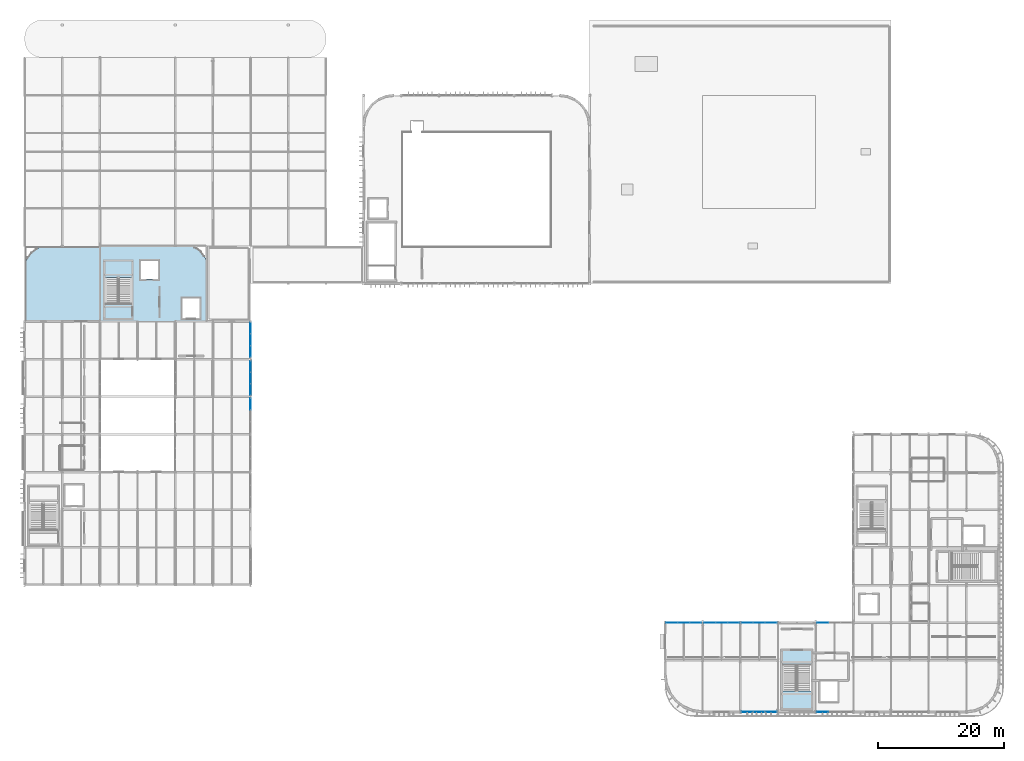
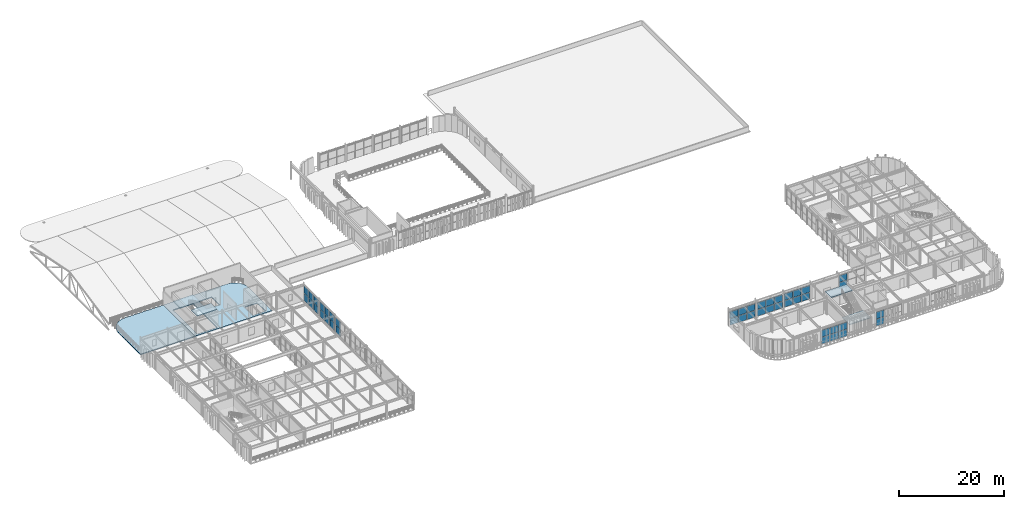
# One storey, part 48 of 83: 42 plates, 6 slabs, 11 elements without a shape of their own.
"""IFC4 building model written with IfcOpenShell, lengths in metres."""

import ifcopenshell
import ifcopenshell.guid

model = None  # the IFC model being written
_history = None  # IfcOwnerHistory: only IFC2X3 demands one
_inside = {}  # id of a spatial element -> (the spatial element, [elements in it])
_under = {}  # id of a project, library or spatial element -> (it, [spatial elements below it])
_declared = {}  # id of a project -> (the project, [libraries it declares])
_typed = {}  # id of a type object -> (the type object, [elements of that type])
_made_of = {}  # id of a material, layer set ... -> (it, [elements and type objects made of it])


def new_model(schema):
    """Start an empty IFC model of exactly this schema.

    Asked for "IFC4X3", IfcOpenShell would pick the latest addendum, in which some entities
    have other attributes; the version numbers below select the first issue.
    IFC2X3 requires an IfcOwnerHistory on every rooted entity: one is made here for all.
    """
    global model, _history
    if schema == "IFC4X3":
        model = ifcopenshell.file(schema_version=(4, 3, 0, 0))
    else:
        model = ifcopenshell.file(schema=schema)
    _inside.clear()
    _under.clear()
    _declared.clear()
    _typed.clear()
    _made_of.clear()
    _history = None
    if model.schema == "IFC2X3":
        org = make("IfcOrganization", Name="unknown")
        user = make(
            "IfcPersonAndOrganization",
            ThePerson=make("IfcPerson", FamilyName="unknown"),
            TheOrganization=org,
        )
        app = make(
            "IfcApplication",
            ApplicationDeveloper=org,
            Version="unknown",
            ApplicationFullName="unknown",
            ApplicationIdentifier="unknown",
        )
        _history = make(
            "IfcOwnerHistory",
            OwningUser=user,
            OwningApplication=app,
            ChangeAction="ADDED",
            CreationDate=0,
        )
    return model


def make(cls, **values):
    """One entity of the class cls with the attributes given. An attribute that is None is left unset."""
    return model.create_entity(
        cls, **{name: value for name, value in values.items() if value is not None}
    )


def rooted(cls, **values):
    """An entity with a GlobalId (a new one), such as an element, a storey or a relation."""
    return make(cls, GlobalId=ifcopenshell.guid.new(), OwnerHistory=_history, **values)


def si_unit(unit_type, name, prefix=None):
    """IfcSIUnit, for example si_unit("LENGTHUNIT", "METRE", prefix="MILLI")."""
    return make("IfcSIUnit", UnitType=unit_type, Prefix=prefix, Name=name)


def assignment(units):
    """IfcUnitAssignment: the units of a project."""
    return None if units is None else make("IfcUnitAssignment", Units=units)


def point(xyz):
    """IfcCartesianPoint."""
    return None if xyz is None else make("IfcCartesianPoint", Coordinates=xyz)


def direction(xyz):
    """IfcDirection."""
    return None if xyz is None else make("IfcDirection", DirectionRatios=xyz)


def frame(location, z_axis=None, x_axis=None):
    """IfcAxis2Placement3D, a coordinate frame: its origin and axes. An axis left out is left unset."""
    return make(
        "IfcAxis2Placement3D",
        Location=point(location),
        Axis=direction(z_axis),
        RefDirection=direction(x_axis),
    )


def frame_2d(location, x_axis=None):
    """IfcAxis2Placement2D, a coordinate frame in the plane: its origin and x axis."""
    return make(
        "IfcAxis2Placement2D", Location=point(location), RefDirection=direction(x_axis)
    )


def origin():
    """The frame at (0, 0, 0) with its axes left unset."""
    return frame((0.0, 0.0, 0.0))


def origin_2d():
    """The frame at (0, 0) in the plane with its x axis left unset."""
    return frame_2d((0.0, 0.0))


def place(relative_to, where):
    """IfcLocalPlacement: puts the frame where relative to a parent placement (None: the world)."""
    return make(
        "IfcLocalPlacement", PlacementRelTo=relative_to, RelativePlacement=where
    )


def context(
    kind, dimensions, precision=None, world=None, true_north=None, identifier=None
):
    """IfcGeometricRepresentationContext, for example the 3D "Model" context."""
    return make(
        "IfcGeometricRepresentationContext",
        ContextIdentifier=identifier,
        ContextType=kind,
        CoordinateSpaceDimension=dimensions,
        Precision=precision,
        WorldCoordinateSystem=world,
        TrueNorth=true_north,
    )


def subcontext(parent, identifier, kind, view, scale=None):
    """IfcGeometricRepresentationSubContext, for example "Body" below "Model"."""
    return make(
        "IfcGeometricRepresentationSubContext",
        ContextIdentifier=identifier,
        ContextType=kind,
        ParentContext=parent,
        TargetScale=scale,
        TargetView=view,
    )


def project(units=None, contexts=None):
    """IfcProject with its units and contexts."""
    return rooted(
        "IfcProject",
        Name="project",
        RepresentationContexts=contexts,
        UnitsInContext=assignment(units),
    )


def spatial(cls, under=None, at=None, **own):
    """A site, building, storey or space (cls), placed at a placement, below another one or the project."""
    s = rooted(cls, ObjectPlacement=at, **own)
    if under is not None:
        _under.setdefault(under.id(), (under, []))[1].append(s)
    return s


def polyline(points):
    """IfcPolyline through the points."""
    return make("IfcPolyline", Points=[point(p) for p in points])


def profile(cls, at=None, kind="AREA", **sizes):
    """A parametric profile (cls). Its sizes go by their IFC names, for example OverallWidth=200.0."""
    return make(cls, ProfileType=kind, Position=at, **sizes)


def rectangle(**sizes):
    """IfcRectangleProfileDef."""
    return profile("IfcRectangleProfileDef", **sizes)


def outline(outer, holes=None, kind="AREA"):
    """IfcArbitraryClosedProfileDef: a profile drawn as a closed curve; with holes, ...WithVoids."""
    if holes is None:
        return make("IfcArbitraryClosedProfileDef", ProfileType=kind, OuterCurve=outer)
    return make(
        "IfcArbitraryProfileDefWithVoids",
        ProfileType=kind,
        OuterCurve=outer,
        InnerCurves=holes,
    )


def extrude(swept, where, along, depth):
    """IfcExtrudedAreaSolid: the profile swept, set in the frame where, extruded along a direction by depth."""
    return make(
        "IfcExtrudedAreaSolid",
        SweptArea=swept,
        Position=where,
        ExtrudedDirection=direction(along),
        Depth=depth,
    )


def shape(context_of_items, identifier, shape_type, items):
    """IfcShapeRepresentation: the items that make up one representation, for example the "Body"."""
    return make(
        "IfcShapeRepresentation",
        ContextOfItems=context_of_items,
        RepresentationIdentifier=identifier,
        RepresentationType=shape_type,
        Items=items,
    )


def material(Name=None, Category=None):
    """IfcMaterial."""
    return make("IfcMaterial", Name=Name, Category=Category)


def layer(
    of_material, thickness, ventilated=None, Name=None, Category=None, Priority=None
):
    """IfcMaterialLayer: one layer of a wall or slab, of a material (None: an air gap)."""
    return make(
        "IfcMaterialLayer",
        Material=of_material,
        LayerThickness=thickness,
        IsVentilated=ventilated,
        Name=Name,
        Category=Category,
        Priority=Priority,
    )


def layer_set(layers, Name=None):
    """IfcMaterialLayerSet."""
    return make("IfcMaterialLayerSet", MaterialLayers=layers, LayerSetName=Name)


def made_of(thing, what):
    """Note that an element or type object is made of a material, layer set ...; save() writes the relation."""
    if what is not None:
        _made_of.setdefault(what.id(), (what, []))[1].append(thing)
    return thing


def type_object(cls, material=None, **own):
    """A type object (cls), such as IfcWallType, which elements share."""
    return made_of(rooted(cls, **own), material)


def element(
    cls,
    number,
    at=None,
    inside=None,
    cuts=None,
    type_object=None,
    material=None,
    context=None,
    identifier="Body",
    shape_type=None,
    held_by="IfcProductDefinitionShape",
    body=None,
    shapes=None,
    **own,
):
    """One element of the class cls, such as IfcWall. Its Tag is "e" and its number.

    at: its placement. inside: the storey or other place that contains it. cuts: it is an
    opening in that element (IfcRelVoidsElement). A single representation is given by context,
    identifier, shape_type and body (its items); several are given by shapes. held_by: the class
    of the entity that holds the representations. save() writes the other relations.
    """
    e = rooted(cls, Tag="e%d" % number, ObjectPlacement=at, **own)
    if body is not None:
        shapes = [shape(context, identifier, shape_type, body)]
    if shapes is not None:
        e.Representation = make(held_by, Representations=shapes)
    if inside is not None:
        _inside.setdefault(inside.id(), (inside, []))[1].append(e)
    if cuts is not None:
        rooted(
            "IfcRelVoidsElement", RelatingBuildingElement=cuts, RelatedOpeningElement=e
        )
    if type_object is not None:
        _typed.setdefault(type_object.id(), (type_object, []))[1].append(e)
    return made_of(e, material)


def aggregate(whole, parts):
    """IfcRelAggregates: a whole, such as a stair, and the parts it consists of."""
    return rooted("IfcRelAggregates", RelatingObject=whole, RelatedObjects=parts)


def save(model, path):
    """Write the relations noted so far, then the file.

    IfcRelAggregates (storeys below a building ...), IfcRelContainedInSpatialStructure (elements
    in a storey), IfcRelDefinesByType, IfcRelAssociatesMaterial and IfcRelDeclares: one each for
    every whole, place, type object, material and project.
    """
    for whole, parts in _under.values():
        aggregate(whole, parts)
    for where, things in _inside.values():
        rooted(
            "IfcRelContainedInSpatialStructure",
            RelatedElements=things,
            RelatingStructure=where,
        )
    for kind, things in _typed.values():
        rooted("IfcRelDefinesByType", RelatedObjects=things, RelatingType=kind)
    for what, things in _made_of.values():
        rooted("IfcRelAssociatesMaterial", RelatedObjects=things, RelatingMaterial=what)
    for by, libraries in _declared.values():
        rooted("IfcRelDeclares", RelatingContext=by, RelatedDefinitions=libraries)
    model.write(path)


model = new_model("IFC4")

# Units and contexts
model_context = context("Model", 3, precision=1e-05, world=origin(), true_north=direction((0.0, 1.0)))
body_context = subcontext(model_context, "Body", "Model", "MODEL_VIEW")
ifc_project = project(units=[si_unit("LENGTHUNIT", "METRE"), si_unit("AREAUNIT", "SQUARE_METRE"), si_unit("VOLUMEUNIT", "CUBIC_METRE"), si_unit("PLANEANGLEUNIT", "RADIAN"), si_unit("MASSUNIT", "GRAM", prefix="KILO")], contexts=[model_context])

# Site, building, storey
site_placement = place(None, origin())
site = spatial("IfcSite", under=ifc_project, at=site_placement, CompositionType="ELEMENT")
building_placement = place(site_placement, origin())
building = spatial("IfcBuilding", under=site, at=building_placement, Name="Varnakota Square Police Headquarters", CompositionType="ELEMENT")
storey_placement = place(building_placement, frame((0.0, 0.0, 18.0)))
storey = spatial("IfcBuildingStorey", under=building, at=storey_placement, Name="L04", CompositionType="ELEMENT", Elevation=18.0)

# Curtain wall, plates
ifc_material_1 = material(Name="Anodised Aluminium Framing", Category="aluminium")
curtain_wall_type_1 = type_object("IfcCurtainWallType", Name="CW-SYS-D", PredefinedType="NOTDEFINED", material=ifc_material_1)
curtain_wall_1_placement = place(storey_placement, origin())
curtain_wall_1 = element("IfcCurtainWall", 1, at=curtain_wall_1_placement, inside=storey, type_object=curtain_wall_type_1, Name="Unitised curtain wall CWG-L04-091", PredefinedType="NOTDEFINED")
ifc_material_2 = material(Name="Solar-Control Laminated Double Glazing", Category="glass")
ifc_layer_1 = layer(ifc_material_2, 0.028076171875, Name="Solar-Control Laminated Double Glazing")
ifc_layer_set_1 = layer_set([ifc_layer_1], Name="Solar-Control Laminated Double Glazing")
plate_type_1 = type_object("IfcPlateType", Name="CWP-GLZ-28", PredefinedType="CURTAIN_PANEL", material=ifc_layer_set_1)
plate_1_placement = place(storey_placement, frame((109.09716796875, 15.0, 0.06494140625), z_axis=(0.0, 0.0, 1.0), x_axis=(1.0, 0.0, 0.0)))
plate_1 = element("IfcPlate", 2, at=plate_1_placement, type_object=plate_type_1, Name="CWG-L04-091 panel 1.1", PredefinedType="CURTAIN_PANEL", context=body_context, shape_type="SweptSolid", body=[
    extrude(rectangle(XDim=1.80419921875, YDim=0.028076171875, at=origin_2d()), origin(), (0.0, 0.0, 1.0), 1.547607421875),
])
plate_2_placement = place(storey_placement, frame((110.982421875, 15.0, 0.06494140625), z_axis=(0.0, 0.0, 1.0), x_axis=(1.0, 0.0, 0.0)))
plate_2 = element("IfcPlate", 3, at=plate_2_placement, type_object=plate_type_1, Name="CWG-L04-091 panel 2.1", PredefinedType="CURTAIN_PANEL", context=body_context, shape_type="SweptSolid", body=[
    extrude(rectangle(XDim=1.836669921875, YDim=0.028076171875, at=origin_2d()), origin(), (0.0, 0.0, 1.0), 1.547607421875),
])
plate_3_placement = place(storey_placement, frame((112.867919921875, 15.0, 0.06494140625), z_axis=(0.0, 0.0, 1.0), x_axis=(1.0, 0.0, 0.0)))
plate_3 = element("IfcPlate", 4, at=plate_3_placement, type_object=plate_type_1, Name="CWG-L04-091 panel 3.1", PredefinedType="CURTAIN_PANEL", context=body_context, shape_type="SweptSolid", body=[
    extrude(rectangle(XDim=1.80419921875, YDim=0.028076171875, at=origin_2d()), origin(), (0.0, 0.0, 1.0), 1.547607421875),
])

# Curtain wall, plate
curtain_wall_2_placement = place(storey_placement, origin())
curtain_wall_2 = element("IfcCurtainWall", 5, at=curtain_wall_2_placement, inside=storey, type_object=curtain_wall_type_1, Name="Unitised curtain wall CWG-L04-183", PredefinedType="NOTDEFINED")
plate_4_placement = place(storey_placement, frame((42.0, 49.83447265625, 0.06494140625), z_axis=(0.0, 0.0, 1.0), x_axis=(0.0, 1.0, 0.0)))
plate_4 = element("IfcPlate", 6, at=plate_4_placement, type_object=plate_type_1, Name="CWG-L04-183 panel 3.1", PredefinedType="CURTAIN_PANEL", context=body_context, shape_type="SweptSolid", body=[
    extrude(rectangle(XDim=1.790771484375, YDim=0.028076171875, at=origin_2d()), origin(), (0.0, 0.0, 1.0), 1.62255859375),
])

# Curtain wall, plates
curtain_wall_type_2 = type_object("IfcCurtainWallType", Name="CW-SYS-C", PredefinedType="NOTDEFINED", material=ifc_material_1)
curtain_wall_3_placement = place(storey_placement, origin())
curtain_wall_3 = element("IfcCurtainWall", 7, at=curtain_wall_3_placement, inside=storey, type_object=curtain_wall_type_2, Name="Unitised curtain wall CWG-L04-088", PredefinedType="NOTDEFINED")
ifc_material_3 = material(Name="Acoustic Laminated Double Glazing", Category="glass")
ifc_layer_2 = layer(ifc_material_3, 0.031982421875, Name="Acoustic Laminated Double Glazing")
ifc_layer_set_2 = layer_set([ifc_layer_2], Name="Acoustic Laminated Double Glazing")
plate_type_2 = type_object("IfcPlateType", Name="CWP-GLZ-32", PredefinedType="CURTAIN_PANEL", material=ifc_layer_set_2)
plate_5_placement = place(storey_placement, frame((121.09716796875, 0.800048828125, 0.06494140625), z_axis=(0.0, 0.0, 1.0), x_axis=(1.0, 0.0, 0.0)))
plate_5 = element("IfcPlate", 8, at=plate_5_placement, type_object=plate_type_2, Name="CWG-L04-088 panel 1.1", PredefinedType="CURTAIN_PANEL", context=body_context, shape_type="SweptSolid", body=[
    extrude(rectangle(XDim=1.80419921875, YDim=0.031982421875, at=origin_2d()), origin(), (0.0, 0.0, 1.0), 1.597412109375),
])
plate_6_placement = place(storey_placement, frame((122.982421875, 0.800048828125, 0.06494140625), z_axis=(0.0, 0.0, 1.0), x_axis=(1.0, 0.0, 0.0)))
plate_6 = element("IfcPlate", 9, at=plate_6_placement, type_object=plate_type_2, Name="CWG-L04-088 panel 2.1", PredefinedType="CURTAIN_PANEL", context=body_context, shape_type="SweptSolid", body=[
    extrude(rectangle(XDim=1.836669921875, YDim=0.031982421875, at=origin_2d()), origin(), (0.0, 0.0, 1.0), 1.597412109375),
])
plate_7_placement = place(storey_placement, frame((124.867919921875, 0.800048828125, 0.06494140625), z_axis=(0.0, 0.0, 1.0), x_axis=(1.0, 0.0, 0.0)))
plate_7 = element("IfcPlate", 10, at=plate_7_placement, type_object=plate_type_2, Name="CWG-L04-088 panel 3.1", PredefinedType="CURTAIN_PANEL", context=body_context, shape_type="SweptSolid", body=[
    extrude(rectangle(XDim=1.80419921875, YDim=0.031982421875, at=origin_2d()), origin(), (0.0, 0.0, 1.0), 1.597412109375),
])

curtain_wall_4_placement = place(storey_placement, origin())
curtain_wall_4 = element("IfcCurtainWall", 11, at=curtain_wall_4_placement, inside=storey, type_object=curtain_wall_type_1, Name="Unitised curtain wall CWG-L04-092", PredefinedType="NOTDEFINED")
plate_8_placement = place(storey_placement, frame((115.132080078125, 15.0, 0.06494140625), z_axis=(0.0, 0.0, 1.0), x_axis=(1.0, 0.0, 0.0)))
plate_8 = element("IfcPlate", 12, at=plate_8_placement, type_object=plate_type_2, Name="CWG-L04-092 panel 1.1", PredefinedType="CURTAIN_PANEL", context=body_context, shape_type="SweptSolid", body=[
    extrude(rectangle(XDim=1.80419921875, YDim=0.031982421875, at=origin_2d()), origin(), (0.0, 0.0, 1.0), 1.547607421875),
])
plate_9_placement = place(storey_placement, frame((117.017578125, 15.0, 0.06494140625), z_axis=(0.0, 0.0, 1.0), x_axis=(1.0, 0.0, 0.0)))
plate_9 = element("IfcPlate", 13, at=plate_9_placement, type_object=plate_type_2, Name="CWG-L04-092 panel 2.1", PredefinedType="CURTAIN_PANEL", context=body_context, shape_type="SweptSolid", body=[
    extrude(rectangle(XDim=1.836669921875, YDim=0.031982421875, at=origin_2d()), origin(), (0.0, 0.0, 1.0), 1.547607421875),
])
plate_10_placement = place(storey_placement, frame((118.90283203125, 15.0, 0.06494140625), z_axis=(0.0, 0.0, 1.0), x_axis=(1.0, 0.0, 0.0)))
plate_10 = element("IfcPlate", 14, at=plate_10_placement, type_object=plate_type_2, Name="CWG-L04-092 panel 3.1", PredefinedType="CURTAIN_PANEL", context=body_context, shape_type="SweptSolid", body=[
    extrude(rectangle(XDim=1.80419921875, YDim=0.031982421875, at=origin_2d()), origin(), (0.0, 0.0, 1.0), 1.547607421875),
])

curtain_wall_5_placement = place(storey_placement, origin())
curtain_wall_5 = element("IfcCurtainWall", 15, at=curtain_wall_5_placement, inside=storey, type_object=curtain_wall_type_1, Name="Unitised curtain wall CWG-L04-184", PredefinedType="NOTDEFINED")
plate_11_placement = place(storey_placement, frame((42.0, 52.14453125, 0.06494140625), z_axis=(0.0, 0.0, 1.0), x_axis=(0.0, 1.0, 0.0)))
plate_11 = element("IfcPlate", 16, at=plate_11_placement, type_object=plate_type_2, Name="CWG-L04-184 panel 1.1", PredefinedType="CURTAIN_PANEL", context=body_context, shape_type="SweptSolid", body=[
    extrude(rectangle(XDim=1.749267578125, YDim=0.031982421875, at=origin_2d()), origin(), (0.0, 0.0, 1.0), 1.644287109375),
])
plate_12_placement = place(storey_placement, frame((42.0, 53.97509765625, 0.06494140625), z_axis=(0.0, 0.0, 1.0), x_axis=(0.0, 1.0, 0.0)))
plate_12 = element("IfcPlate", 17, at=plate_12_placement, type_object=plate_type_2, Name="CWG-L04-184 panel 2.1", PredefinedType="CURTAIN_PANEL", context=body_context, shape_type="SweptSolid", body=[
    extrude(rectangle(XDim=1.78173828125, YDim=0.031982421875, at=origin_2d()), origin(), (0.0, 0.0, 1.0), 1.644287109375),
])
plate_13_placement = place(storey_placement, frame((42.0, 55.805419921875, 0.06494140625), z_axis=(0.0, 0.0, 1.0), x_axis=(0.0, 1.0, 0.0)))
plate_13 = element("IfcPlate", 18, at=plate_13_placement, type_object=plate_type_2, Name="CWG-L04-184 panel 3.1", PredefinedType="CURTAIN_PANEL", context=body_context, shape_type="SweptSolid", body=[
    extrude(rectangle(XDim=1.749267578125, YDim=0.031982421875, at=origin_2d()), origin(), (0.0, 0.0, 1.0), 1.644287109375),
])

# Curtain wall, plate
curtain_wall_6_placement = place(storey_placement, origin())
curtain_wall_6 = element("IfcCurtainWall", 19, at=curtain_wall_6_placement, inside=storey, type_object=curtain_wall_type_2, Name="Unitised curtain wall CWG-L04-089", PredefinedType="NOTDEFINED")
ifc_material_4 = material(Name="Blast-Resistant Laminated Glazing", Category="glass")
ifc_layer_3 = layer(ifc_material_4, 0.035888671875, Name="Blast-Resistant Laminated Glazing")
ifc_layer_set_3 = layer_set([ifc_layer_3], Name="Blast-Resistant Laminated Glazing")
plate_type_3 = type_object("IfcPlateType", Name="CWP-GLZ-36", PredefinedType="CURTAIN_PANEL", material=ifc_layer_set_3)
plate_14_placement = place(storey_placement, frame((133.10302734375, 0.800048828125, 0.06494140625), z_axis=(0.0, 0.0, 1.0), x_axis=(1.0, 0.0, 0.0)))
plate_14 = element("IfcPlate", 20, at=plate_14_placement, type_object=plate_type_3, Name="CWG-L04-089 panel 1.1", PredefinedType="CURTAIN_PANEL", context=body_context, shape_type="SweptSolid", body=[
    extrude(rectangle(XDim=1.81591796875, YDim=0.035888671875, at=origin_2d()), origin(), (0.0, 0.0, 1.0), 1.597412109375),
])

# Curtain wall, plates
curtain_wall_7_placement = place(storey_placement, origin())
curtain_wall_7 = element("IfcCurtainWall", 21, at=curtain_wall_7_placement, inside=storey, type_object=curtain_wall_type_1, Name="Unitised curtain wall CWG-L04-093", PredefinedType="NOTDEFINED")
plate_15_placement = place(storey_placement, frame((121.10302734375, 15.0, 0.06494140625), z_axis=(0.0, 0.0, 1.0), x_axis=(1.0, 0.0, 0.0)))
plate_15 = element("IfcPlate", 22, at=plate_15_placement, type_object=plate_type_3, Name="CWG-L04-093 panel 1.1", PredefinedType="CURTAIN_PANEL", context=body_context, shape_type="SweptSolid", body=[
    extrude(rectangle(XDim=1.81591796875, YDim=0.035888671875, at=origin_2d()), origin(), (0.0, 0.0, 1.0), 1.547607421875),
])
plate_16_placement = place(storey_placement, frame((123.0, 15.0, 0.06494140625), z_axis=(0.0, 0.0, 1.0), x_axis=(1.0, 0.0, 0.0)))
plate_16 = element("IfcPlate", 23, at=plate_16_placement, type_object=plate_type_3, Name="CWG-L04-093 panel 2.1", PredefinedType="CURTAIN_PANEL", context=body_context, shape_type="SweptSolid", body=[
    extrude(rectangle(XDim=1.848388671875, YDim=0.035888671875, at=origin_2d()), origin(), (0.0, 0.0, 1.0), 1.547607421875),
])
plate_17_placement = place(storey_placement, frame((124.89697265625, 15.0, 0.06494140625), z_axis=(0.0, 0.0, 1.0), x_axis=(1.0, 0.0, 0.0)))
plate_17 = element("IfcPlate", 24, at=plate_17_placement, type_object=plate_type_3, Name="CWG-L04-093 panel 3.1", PredefinedType="CURTAIN_PANEL", context=body_context, shape_type="SweptSolid", body=[
    extrude(rectangle(XDim=1.81591796875, YDim=0.035888671875, at=origin_2d()), origin(), (0.0, 0.0, 1.0), 1.547607421875),
])

curtain_wall_8_placement = place(storey_placement, origin())
curtain_wall_8 = element("IfcCurtainWall", 25, at=curtain_wall_8_placement, inside=storey, type_object=curtain_wall_type_1, Name="Unitised curtain wall CWG-L04-185", PredefinedType="NOTDEFINED")
plate_18_placement = place(storey_placement, frame((42.0, 58.20703125, 0.06494140625), z_axis=(0.0, 0.0, 1.0), x_axis=(0.0, 1.0, 0.0)))
plate_18 = element("IfcPlate", 26, at=plate_18_placement, type_object=plate_type_3, Name="CWG-L04-185 panel 1.1", PredefinedType="CURTAIN_PANEL", context=body_context, shape_type="SweptSolid", body=[
    extrude(rectangle(XDim=1.774169921875, YDim=0.035888671875, at=origin_2d()), origin(), (0.0, 0.0, 1.0), 1.644287109375),
])
plate_19_placement = place(storey_placement, frame((42.0, 60.0625, 0.06494140625), z_axis=(0.0, 0.0, 1.0), x_axis=(0.0, 1.0, 0.0)))
plate_19 = element("IfcPlate", 27, at=plate_19_placement, type_object=plate_type_3, Name="CWG-L04-185 panel 2.1", PredefinedType="CURTAIN_PANEL", context=body_context, shape_type="SweptSolid", body=[
    extrude(rectangle(XDim=1.806640625, YDim=0.035888671875, at=origin_2d()), origin(), (0.0, 0.0, 1.0), 1.644287109375),
])
plate_20_placement = place(storey_placement, frame((42.0, 61.91796875, 0.06494140625), z_axis=(0.0, 0.0, 1.0), x_axis=(0.0, 1.0, 0.0)))
plate_20 = element("IfcPlate", 28, at=plate_20_placement, type_object=plate_type_3, Name="CWG-L04-185 panel 3.1", PredefinedType="CURTAIN_PANEL", context=body_context, shape_type="SweptSolid", body=[
    extrude(rectangle(XDim=1.774169921875, YDim=0.035888671875, at=origin_2d()), origin(), (0.0, 0.0, 1.0), 1.644287109375),
])

# Curtain wall, plate
curtain_wall_9_placement = place(storey_placement, origin())
curtain_wall_9 = element("IfcCurtainWall", 29, at=curtain_wall_9_placement, inside=storey, type_object=curtain_wall_type_1, Name="Unitised curtain wall CWG-L04-094", PredefinedType="NOTDEFINED")
ifc_material_5 = material(Name="Triple-Glazed Clean-Lab Vision Unit", Category="aluminium")
ifc_layer_4 = layer(ifc_material_5, 0.0419921875, Name="Triple-Glazed Clean-Lab Vision Unit")
ifc_layer_set_4 = layer_set([ifc_layer_4], Name="Triple-Glazed Clean-Lab Vision Unit")
plate_type_4 = type_object("IfcPlateType", Name="CWP-GLZ-42", PredefinedType="CURTAIN_PANEL", material=ifc_layer_set_4)
plate_21_placement = place(storey_placement, frame((133.132080078125, 15.0, 0.06494140625), z_axis=(0.0, 0.0, 1.0), x_axis=(1.0, 0.0, 0.0)))
plate_21 = element("IfcPlate", 30, at=plate_21_placement, type_object=plate_type_4, Name="CWG-L04-094 panel 1.1", PredefinedType="CURTAIN_PANEL", context=body_context, shape_type="SweptSolid", body=[
    extrude(rectangle(XDim=1.80419921875, YDim=0.0419921875, at=origin_2d()), origin(), (0.0, 0.0, 1.0), 1.547607421875),
])

# Plate
ifc_material_6 = material(Name="Insulated Anodised Aluminium Spandrel Panel", Category="aluminium")
ifc_layer_5 = layer(ifc_material_6, 0.050048828125, Name="Insulated Anodised Aluminium Spandrel Panel")
ifc_layer_set_5 = layer_set([ifc_layer_5], Name="Insulated Anodised Aluminium Spandrel Panel")
plate_type_5 = type_object("IfcPlateType", Name="CWP-SPN-50", PredefinedType="CURTAIN_PANEL", material=ifc_layer_set_5)
plate_22_placement = place(storey_placement, frame((133.10302734375, 0.800048828125, 1.7275390625), z_axis=(0.0, 0.0, 1.0), x_axis=(1.0, 0.0, 0.0)))
plate_22 = element("IfcPlate", 31, at=plate_22_placement, type_object=plate_type_5, Name="CWG-L04-089 panel 1.2", PredefinedType="CURTAIN_PANEL", context=body_context, shape_type="SweptSolid", body=[
    extrude(rectangle(XDim=1.81591796875, YDim=0.050048828125, at=origin_2d()), origin(), (0.0, 0.0, 1.0), 1.597412109375),
])

aggregate(curtain_wall_6, [plate_14, plate_22])

plate_23_placement = place(storey_placement, frame((109.09716796875, 15.0, 1.67724609375), z_axis=(0.0, 0.0, 1.0), x_axis=(1.0, 0.0, 0.0)))
plate_23 = element("IfcPlate", 32, at=plate_23_placement, type_object=plate_type_5, Name="CWG-L04-091 panel 1.2", PredefinedType="CURTAIN_PANEL", context=body_context, shape_type="SweptSolid", body=[
    extrude(rectangle(XDim=1.80419921875, YDim=0.050048828125, at=origin_2d()), origin(), (0.0, 0.0, 1.0), 1.547607421875),
])

plate_24_placement = place(storey_placement, frame((110.982421875, 15.0, 1.67724609375), z_axis=(0.0, 0.0, 1.0), x_axis=(1.0, 0.0, 0.0)))
plate_24 = element("IfcPlate", 33, at=plate_24_placement, type_object=plate_type_5, Name="CWG-L04-091 panel 2.2", PredefinedType="CURTAIN_PANEL", context=body_context, shape_type="SweptSolid", body=[
    extrude(rectangle(XDim=1.836669921875, YDim=0.050048828125, at=origin_2d()), origin(), (0.0, 0.0, 1.0), 1.547607421875),
])

plate_25_placement = place(storey_placement, frame((112.867919921875, 15.0, 1.67724609375), z_axis=(0.0, 0.0, 1.0), x_axis=(1.0, 0.0, 0.0)))
plate_25 = element("IfcPlate", 34, at=plate_25_placement, type_object=plate_type_5, Name="CWG-L04-091 panel 3.2", PredefinedType="CURTAIN_PANEL", context=body_context, shape_type="SweptSolid", body=[
    extrude(rectangle(XDim=1.80419921875, YDim=0.050048828125, at=origin_2d()), origin(), (0.0, 0.0, 1.0), 1.547607421875),
])

aggregate(curtain_wall_1, [plate_1, plate_23, plate_2, plate_24, plate_3, plate_25])

plate_26_placement = place(storey_placement, frame((121.10302734375, 15.0, 1.67724609375), z_axis=(0.0, 0.0, 1.0), x_axis=(1.0, 0.0, 0.0)))
plate_26 = element("IfcPlate", 35, at=plate_26_placement, type_object=plate_type_5, Name="CWG-L04-093 panel 1.2", PredefinedType="CURTAIN_PANEL", context=body_context, shape_type="SweptSolid", body=[
    extrude(rectangle(XDim=1.81591796875, YDim=0.050048828125, at=origin_2d()), origin(), (0.0, 0.0, 1.0), 1.547607421875),
])

plate_27_placement = place(storey_placement, frame((123.0, 15.0, 1.67724609375), z_axis=(0.0, 0.0, 1.0), x_axis=(1.0, 0.0, 0.0)))
plate_27 = element("IfcPlate", 36, at=plate_27_placement, type_object=plate_type_5, Name="CWG-L04-093 panel 2.2", PredefinedType="CURTAIN_PANEL", context=body_context, shape_type="SweptSolid", body=[
    extrude(rectangle(XDim=1.848388671875, YDim=0.050048828125, at=origin_2d()), origin(), (0.0, 0.0, 1.0), 1.547607421875),
])

plate_28_placement = place(storey_placement, frame((124.89697265625, 15.0, 1.67724609375), z_axis=(0.0, 0.0, 1.0), x_axis=(1.0, 0.0, 0.0)))
plate_28 = element("IfcPlate", 37, at=plate_28_placement, type_object=plate_type_5, Name="CWG-L04-093 panel 3.2", PredefinedType="CURTAIN_PANEL", context=body_context, shape_type="SweptSolid", body=[
    extrude(rectangle(XDim=1.81591796875, YDim=0.050048828125, at=origin_2d()), origin(), (0.0, 0.0, 1.0), 1.547607421875),
])

aggregate(curtain_wall_7, [plate_15, plate_26, plate_16, plate_27, plate_17, plate_28])

plate_29_placement = place(storey_placement, frame((42.0, 49.83447265625, 1.75244140625), z_axis=(0.0, 0.0, 1.0), x_axis=(0.0, 1.0, 0.0)))
plate_29 = element("IfcPlate", 38, at=plate_29_placement, type_object=plate_type_5, Name="CWG-L04-183 panel 3.2", PredefinedType="CURTAIN_PANEL", context=body_context, shape_type="SweptSolid", body=[
    extrude(rectangle(XDim=1.790771484375, YDim=0.050048828125, at=origin_2d()), origin(), (0.0, 0.0, 1.0), 1.62255859375),
])

aggregate(curtain_wall_2, [plate_4, plate_29])

plate_30_placement = place(storey_placement, frame((42.0, 58.20703125, 1.7744140625), z_axis=(0.0, 0.0, 1.0), x_axis=(0.0, 1.0, 0.0)))
plate_30 = element("IfcPlate", 39, at=plate_30_placement, type_object=plate_type_5, Name="CWG-L04-185 panel 1.2", PredefinedType="CURTAIN_PANEL", context=body_context, shape_type="SweptSolid", body=[
    extrude(rectangle(XDim=1.774169921875, YDim=0.050048828125, at=origin_2d()), origin(), (0.0, 0.0, 1.0), 1.644287109375),
])

plate_31_placement = place(storey_placement, frame((42.0, 60.0625, 1.7744140625), z_axis=(0.0, 0.0, 1.0), x_axis=(0.0, 1.0, 0.0)))
plate_31 = element("IfcPlate", 40, at=plate_31_placement, type_object=plate_type_5, Name="CWG-L04-185 panel 2.2", PredefinedType="CURTAIN_PANEL", context=body_context, shape_type="SweptSolid", body=[
    extrude(rectangle(XDim=1.806640625, YDim=0.050048828125, at=origin_2d()), origin(), (0.0, 0.0, 1.0), 1.644287109375),
])

plate_32_placement = place(storey_placement, frame((42.0, 61.91796875, 1.7744140625), z_axis=(0.0, 0.0, 1.0), x_axis=(0.0, 1.0, 0.0)))
plate_32 = element("IfcPlate", 41, at=plate_32_placement, type_object=plate_type_5, Name="CWG-L04-185 panel 3.2", PredefinedType="CURTAIN_PANEL", context=body_context, shape_type="SweptSolid", body=[
    extrude(rectangle(XDim=1.774169921875, YDim=0.050048828125, at=origin_2d()), origin(), (0.0, 0.0, 1.0), 1.644287109375),
])

aggregate(curtain_wall_8, [plate_18, plate_30, plate_19, plate_31, plate_20, plate_32])

ifc_material_7 = material(Name="Fire-Stopped Mineral-Wool Spandrel Panel", Category="aluminium")
ifc_layer_6 = layer(ifc_material_7, 0.06005859375, Name="Fire-Stopped Mineral-Wool Spandrel Panel")
ifc_layer_set_6 = layer_set([ifc_layer_6], Name="Fire-Stopped Mineral-Wool Spandrel Panel")
plate_type_6 = type_object("IfcPlateType", Name="CWP-SPN-60", PredefinedType="CURTAIN_PANEL", material=ifc_layer_set_6)
plate_33_placement = place(storey_placement, frame((121.09716796875, 0.800048828125, 1.7275390625), z_axis=(0.0, 0.0, 1.0), x_axis=(1.0, 0.0, 0.0)))
plate_33 = element("IfcPlate", 42, at=plate_33_placement, type_object=plate_type_6, Name="CWG-L04-088 panel 1.2", PredefinedType="CURTAIN_PANEL", context=body_context, shape_type="SweptSolid", body=[
    extrude(rectangle(XDim=1.80419921875, YDim=0.06005859375, at=origin_2d()), origin(), (0.0, 0.0, 1.0), 1.597412109375),
])

plate_34_placement = place(storey_placement, frame((122.982421875, 0.800048828125, 1.7275390625), z_axis=(0.0, 0.0, 1.0), x_axis=(1.0, 0.0, 0.0)))
plate_34 = element("IfcPlate", 43, at=plate_34_placement, type_object=plate_type_6, Name="CWG-L04-088 panel 2.2", PredefinedType="CURTAIN_PANEL", context=body_context, shape_type="SweptSolid", body=[
    extrude(rectangle(XDim=1.836669921875, YDim=0.06005859375, at=origin_2d()), origin(), (0.0, 0.0, 1.0), 1.597412109375),
])

plate_35_placement = place(storey_placement, frame((124.867919921875, 0.800048828125, 1.7275390625), z_axis=(0.0, 0.0, 1.0), x_axis=(1.0, 0.0, 0.0)))
plate_35 = element("IfcPlate", 44, at=plate_35_placement, type_object=plate_type_6, Name="CWG-L04-088 panel 3.2", PredefinedType="CURTAIN_PANEL", context=body_context, shape_type="SweptSolid", body=[
    extrude(rectangle(XDim=1.80419921875, YDim=0.06005859375, at=origin_2d()), origin(), (0.0, 0.0, 1.0), 1.597412109375),
])

aggregate(curtain_wall_3, [plate_5, plate_33, plate_6, plate_34, plate_7, plate_35])

plate_36_placement = place(storey_placement, frame((115.132080078125, 15.0, 1.67724609375), z_axis=(0.0, 0.0, 1.0), x_axis=(1.0, 0.0, 0.0)))
plate_36 = element("IfcPlate", 45, at=plate_36_placement, type_object=plate_type_6, Name="CWG-L04-092 panel 1.2", PredefinedType="CURTAIN_PANEL", context=body_context, shape_type="SweptSolid", body=[
    extrude(rectangle(XDim=1.80419921875, YDim=0.06005859375, at=origin_2d()), origin(), (0.0, 0.0, 1.0), 1.547607421875),
])

plate_37_placement = place(storey_placement, frame((117.017578125, 15.0, 1.67724609375), z_axis=(0.0, 0.0, 1.0), x_axis=(1.0, 0.0, 0.0)))
plate_37 = element("IfcPlate", 46, at=plate_37_placement, type_object=plate_type_6, Name="CWG-L04-092 panel 2.2", PredefinedType="CURTAIN_PANEL", context=body_context, shape_type="SweptSolid", body=[
    extrude(rectangle(XDim=1.836669921875, YDim=0.06005859375, at=origin_2d()), origin(), (0.0, 0.0, 1.0), 1.547607421875),
])

plate_38_placement = place(storey_placement, frame((118.90283203125, 15.0, 1.67724609375), z_axis=(0.0, 0.0, 1.0), x_axis=(1.0, 0.0, 0.0)))
plate_38 = element("IfcPlate", 47, at=plate_38_placement, type_object=plate_type_6, Name="CWG-L04-092 panel 3.2", PredefinedType="CURTAIN_PANEL", context=body_context, shape_type="SweptSolid", body=[
    extrude(rectangle(XDim=1.80419921875, YDim=0.06005859375, at=origin_2d()), origin(), (0.0, 0.0, 1.0), 1.547607421875),
])

aggregate(curtain_wall_4, [plate_8, plate_36, plate_9, plate_37, plate_10, plate_38])

plate_39_placement = place(storey_placement, frame((133.132080078125, 15.0, 1.67724609375), z_axis=(0.0, 0.0, 1.0), x_axis=(1.0, 0.0, 0.0)))
plate_39 = element("IfcPlate", 48, at=plate_39_placement, type_object=plate_type_6, Name="CWG-L04-094 panel 1.2", PredefinedType="CURTAIN_PANEL", context=body_context, shape_type="SweptSolid", body=[
    extrude(rectangle(XDim=1.80419921875, YDim=0.06005859375, at=origin_2d()), origin(), (0.0, 0.0, 1.0), 1.547607421875),
])

aggregate(curtain_wall_9, [plate_21, plate_39])

plate_40_placement = place(storey_placement, frame((42.0, 52.14453125, 1.7744140625), z_axis=(0.0, 0.0, 1.0), x_axis=(0.0, 1.0, 0.0)))
plate_40 = element("IfcPlate", 49, at=plate_40_placement, type_object=plate_type_6, Name="CWG-L04-184 panel 1.2", PredefinedType="CURTAIN_PANEL", context=body_context, shape_type="SweptSolid", body=[
    extrude(rectangle(XDim=1.749267578125, YDim=0.06005859375, at=origin_2d()), origin(), (0.0, 0.0, 1.0), 1.644287109375),
])

plate_41_placement = place(storey_placement, frame((42.0, 53.97509765625, 1.7744140625), z_axis=(0.0, 0.0, 1.0), x_axis=(0.0, 1.0, 0.0)))
plate_41 = element("IfcPlate", 50, at=plate_41_placement, type_object=plate_type_6, Name="CWG-L04-184 panel 2.2", PredefinedType="CURTAIN_PANEL", context=body_context, shape_type="SweptSolid", body=[
    extrude(rectangle(XDim=1.78173828125, YDim=0.06005859375, at=origin_2d()), origin(), (0.0, 0.0, 1.0), 1.644287109375),
])

plate_42_placement = place(storey_placement, frame((42.0, 55.805419921875, 1.7744140625), z_axis=(0.0, 0.0, 1.0), x_axis=(0.0, 1.0, 0.0)))
plate_42 = element("IfcPlate", 51, at=plate_42_placement, type_object=plate_type_6, Name="CWG-L04-184 panel 3.2", PredefinedType="CURTAIN_PANEL", context=body_context, shape_type="SweptSolid", body=[
    extrude(rectangle(XDim=1.749267578125, YDim=0.06005859375, at=origin_2d()), origin(), (0.0, 0.0, 1.0), 1.644287109375),
])

aggregate(curtain_wall_5, [plate_11, plate_40, plate_12, plate_41, plate_13, plate_42])

# Slabs
ifc_material_8 = material(Name="Concrete M40", Category="concrete")
ifc_layer_7 = layer(ifc_material_8, 0.199951171875, Name="Concrete M40")
ifc_layer_set_7 = layer_set([ifc_layer_7], Name="Concrete M40")
slab_type_1 = type_object("IfcSlabType", Name="SL-COMP-200", PredefinedType="FLOOR", material=ifc_layer_set_7)
slab_1_placement = place(storey_placement, frame((0.0, 0.0, -0.199951171875)))
element("IfcSlab", 52, at=slab_1_placement, inside=storey, type_object=slab_type_1, Name="L04 Core C5 and Goods Lift Lobby Slab", PredefinedType="FLOOR", context=body_context, shape_type="SweptSolid", body=[
    extrude(outline(polyline([(18.0, 63.0), (35.0, 63.0), (35.0, 72.0), (34.897705078125, 72.776611328125), (34.59814453125, 73.5), (34.121337890625, 74.121337890625), (33.5, 74.59814453125), (32.776611328125, 74.897705078125), (32.0, 75.0), (18.0, 75.0), (18.0, 63.0)]), holes=[polyline([(18.7548828125, 63.455078125), (23.14501953125, 63.455078125), (23.14501953125, 72.64501953125), (18.7548828125, 72.64501953125), (18.7548828125, 63.455078125)]), polyline([(24.514892578125, 69.715087890625), (27.284912109375, 69.715087890625), (27.284912109375, 72.68505859375), (24.514892578125, 72.68505859375), (24.514892578125, 69.715087890625)]), polyline([(31.114990234375, 63.514892578125), (33.885009765625, 63.514892578125), (33.885009765625, 66.68505859375), (31.114990234375, 66.68505859375), (31.114990234375, 63.514892578125)])]), origin(), (0.0, 0.0, 1.0), 0.199951171875),
])
ifc_layer_8 = layer(ifc_material_8, 0.2099609375, Name="Concrete M40")
ifc_layer_set_8 = layer_set([ifc_layer_8], Name="Concrete M40")
slab_type_2 = type_object("IfcSlabType", Name="SL-TERR-210", PredefinedType="FLOOR", material=ifc_layer_set_8)
slab_2_placement = place(storey_placement, frame((0.0, 0.0, -0.2099609375)))
element("IfcSlab", 53, at=slab_2_placement, inside=storey, type_object=slab_type_2, Name="L04 Forensic North Terrace Slab", PredefinedType="FLOOR", context=body_context, shape_type="SweptSolid", body=[
    extrude(outline(polyline([(6.0, 63.0), (18.0, 63.0), (18.0, 75.0), (9.60009765625, 75.0), (8.668212890625, 74.877197265625), (7.800048828125, 74.517578125), (7.054443359375, 73.945556640625), (6.482421875, 73.199951171875), (6.122802734375, 72.331787109375), (6.0, 71.39990234375), (6.0, 63.0)])), origin(), (0.0, 0.0, 1.0), 0.2099609375),
])

# Stair, slabs
stair_type_1 = type_object("IfcStairType", Name="STR-DOG-1850", PredefinedType="USERDEFINED", material=ifc_material_8)
stair_1_placement = place(storey_placement, origin())
stair_1 = element("IfcStair", 54, at=stair_1_placement, inside=storey, type_object=stair_type_1, Name="Protected exit stair ST5 (L04)", ObjectType="TWO_RETURN_STAIR", PredefinedType="USERDEFINED")
ifc_layer_9 = layer(ifc_material_8, 0.157958984375, Name="Concrete M40")
ifc_layer_set_9 = layer_set([ifc_layer_9], Name="Concrete M40")
slab_type_3 = type_object("IfcSlabType", Name="SLB-LND-1850", PredefinedType="LANDING", material=ifc_layer_set_9)
slab_3_placement = place(storey_placement, frame((0.0, 0.0, 1.94189453125)))
slab_3 = element("IfcSlab", 55, at=slab_3_placement, type_object=slab_type_3, Name="ST5-L04 landing 1", PredefinedType="LANDING", context=body_context, shape_type="SweptSolid", body=[
    extrude(outline(polyline([(18.760009765625, 69.95068359375), (23.139892578125, 69.95068359375), (23.139892578125, 72.639892578125), (18.760009765625, 72.639892578125), (18.760009765625, 69.95068359375)])), origin(), (0.0, 0.0, 1.0), 0.158203125),
])
slab_4_placement = place(storey_placement, frame((0.0, 0.0, 4.0419921875)))
slab_4 = element("IfcSlab", 56, at=slab_4_placement, type_object=slab_type_3, Name="ST5-L04 landing 2", PredefinedType="LANDING", context=body_context, shape_type="SweptSolid", body=[
    extrude(outline(polyline([(18.760009765625, 63.4599609375), (23.139892578125, 63.4599609375), (23.139892578125, 65.75), (18.760009765625, 65.75), (18.760009765625, 63.4599609375)])), origin(), (0.0, 0.0, 1.0), 0.157958984375),
])
aggregate(stair_1, [slab_3, slab_4])

stair_type_2 = type_object("IfcStairType", Name="STR-DOG-2000", PredefinedType="USERDEFINED", material=ifc_material_8)
stair_2_placement = place(storey_placement, origin())
stair_2 = element("IfcStair", 57, at=stair_2_placement, inside=storey, type_object=stair_type_2, Name="Protected exit stair ST1 (L04)", ObjectType="TWO_RETURN_STAIR", PredefinedType="USERDEFINED")
ifc_layer_10 = layer(ifc_material_8, 0.166015625, Name="Concrete M40")
ifc_layer_set_10 = layer_set([ifc_layer_10], Name="Concrete M40")
slab_type_4 = type_object("IfcSlabType", Name="SLB-LND-2000", PredefinedType="LANDING", material=ifc_layer_set_10)
slab_5_placement = place(storey_placement, frame((0.0, 0.0, 1.93408203125)))
slab_5 = element("IfcSlab", 58, at=slab_5_placement, type_object=slab_type_4, Name="ST1-L04 landing 1", PredefinedType="LANDING", context=body_context, shape_type="SweptSolid", body=[
    extrude(outline(polyline([(126.659912109375, 1.31005859375), (131.340087890625, 1.31005859375), (131.340087890625, 4.099365234375), (126.659912109375, 4.099365234375), (126.659912109375, 1.31005859375)])), origin(), (0.0, 0.0, 1.0), 0.166015625),
])
slab_6_placement = place(storey_placement, frame((0.0, 0.0, 4.033935546875)))
slab_6 = element("IfcSlab", 59, at=slab_6_placement, type_object=slab_type_4, Name="ST1-L04 landing 2", PredefinedType="LANDING", context=body_context, shape_type="SweptSolid", body=[
    extrude(outline(polyline([(126.659912109375, 8.300048828125), (131.340087890625, 8.300048828125), (131.340087890625, 10.590087890625), (126.659912109375, 10.590087890625), (126.659912109375, 8.300048828125)])), origin(), (0.0, 0.0, 1.0), 0.166015625),
])
aggregate(stair_2, [slab_5, slab_6])

save(model, "model.ifc")
